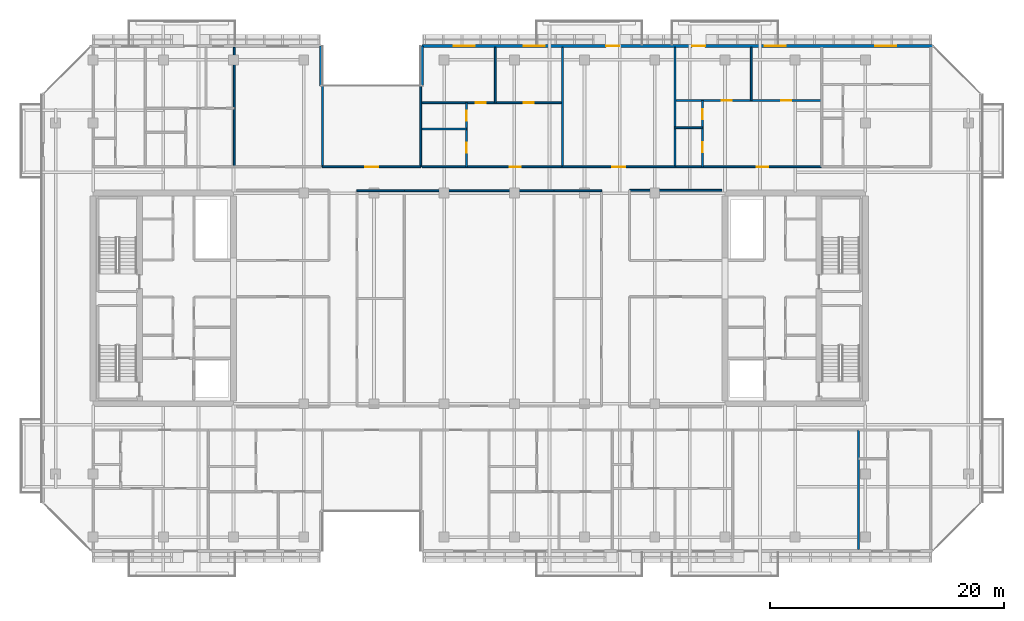
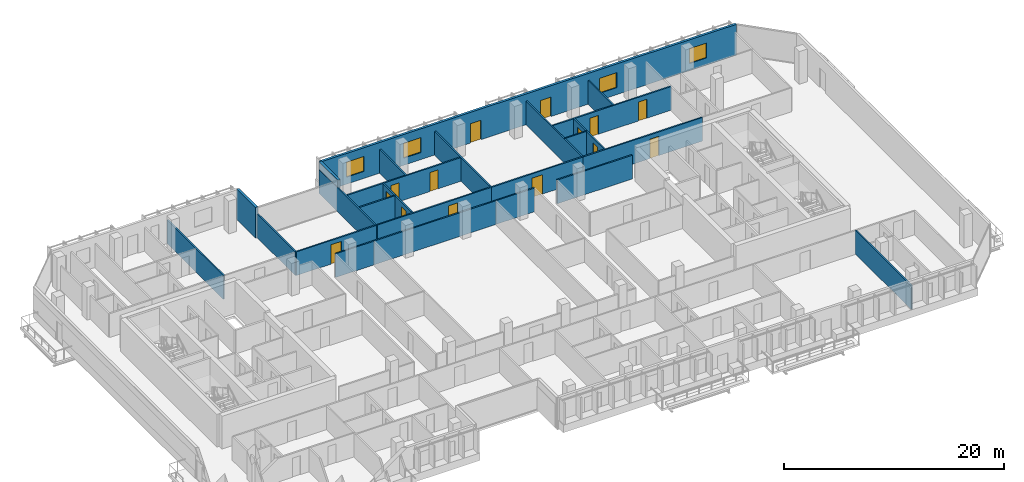
# One storey, part 23 of 30: 25 walls, 14 doors, 4 windows, 18 openings.
"""IFC4 building model written with IfcOpenShell, lengths in metres."""

from ifc_helpers import new_model, si_unit, direction, frame, frame_2d, origin, place, context, subcontext, project, spatial, rectangle, extrude, material, layer, layer_set, type_object, element, fill, save


model = new_model("IFC4")

# Units and contexts
model_context = context("Model", 3, precision=1e-05, world=origin(), true_north=direction((0.0, 1.0)))
body_context = subcontext(model_context, "Body", "Model", "MODEL_VIEW")
ifc_project = project(units=[si_unit("LENGTHUNIT", "METRE"), si_unit("AREAUNIT", "SQUARE_METRE"), si_unit("VOLUMEUNIT", "CUBIC_METRE"), si_unit("PLANEANGLEUNIT", "RADIAN"), si_unit("MASSUNIT", "GRAM", prefix="KILO")], contexts=[model_context])

# Site, building, storey
site_placement = place(None, origin())
site = spatial("IfcSite", under=ifc_project, at=site_placement, CompositionType="ELEMENT")
building_placement = place(site_placement, origin())
building = spatial("IfcBuilding", under=site, at=building_placement, Name="Tanjung Sevakor Pilgrim Tower", CompositionType="ELEMENT")
storey_placement = place(building_placement, frame((0.0, 0.0, 165.659912109375)))
storey = spatial("IfcBuildingStorey", under=building, at=storey_placement, Name="L46", CompositionType="ELEMENT", Elevation=165.659912109375)

# Walls
ifc_material_1 = material(Name="Concrete C40/50", Category="concrete")
ifc_layer_1 = layer(ifc_material_1, 0.14990234375)
ifc_layer_set_1 = layer_set([ifc_layer_1], Name="WT-COMP-150")
wall_type_1 = type_object("IfcWallType", Name="WT-COMP-150", PredefinedType="SOLIDWALL", material=ifc_layer_set_1)
wall_1_placement = place(storey_placement, frame((69.85009765625, 42.85009765625, 0.0), z_axis=(0.0, 0.0, 1.0), x_axis=(1.0, 0.0, 0.0)))
element("IfcWall", 1, at=wall_1_placement, inside=storey, type_object=wall_type_1, Name="L46 Partition IW-L46-037", PredefinedType="SOLIDWALL", context=body_context, shape_type="SweptSolid", body=[
    extrude(rectangle(XDim=7.8798828125, YDim=0.14990234375, at=frame_2d((3.93994140625, 0.0))), origin(), (0.0, 0.0, 1.0), 2.6298828125),
])
wall_2_placement = place(storey_placement, frame((46.550048828125, 42.800048828125, 0.0), z_axis=(0.0, 0.0, 1.0), x_axis=(1.0, 0.0, 0.0)))
element("IfcWall", 2, at=wall_2_placement, inside=storey, type_object=wall_type_1, Name="L46 Partition IW-L46-042", PredefinedType="SOLIDWALL", context=body_context, shape_type="SweptSolid", body=[
    extrude(rectangle(XDim=4.050048828125, YDim=0.14990234375, at=frame_2d((2.02490234375, 0.0))), origin(), (0.0, 0.0, 1.0), 2.6298828125),
])
wall_3_placement = place(storey_placement, frame((50.60009765625, 42.800048828125, 0.0), z_axis=(0.0, 0.0, 1.0), x_axis=(1.0, 0.0, 0.0)))
element("IfcWall", 3, at=wall_3_placement, inside=storey, type_object=wall_type_1, Name="L46 Partition IW-L46-045", PredefinedType="SOLIDWALL", context=body_context, shape_type="SweptSolid", body=[
    extrude(rectangle(XDim=12.7998046875, YDim=0.14990234375, at=frame_2d((6.39990234375, 0.0))), origin(), (0.0, 0.0, 1.0), 2.6298828125),
])
wall_4_placement = place(storey_placement, frame((63.39990234375, 42.800048828125, 0.0), z_axis=(0.0, 0.0, 1.0), x_axis=(1.0, 0.0, 0.0)))
element("IfcWall", 4, at=wall_4_placement, inside=storey, type_object=wall_type_1, Name="L46 Partition IW-L46-051", PredefinedType="SOLIDWALL", context=body_context, shape_type="SweptSolid", body=[
    extrude(rectangle(XDim=4.050048828125, YDim=0.14990234375, at=frame_2d((2.02490234375, 0.0))), origin(), (0.0, 0.0, 1.0), 2.6298828125),
])

# Wall, opening, door
wall_5_placement = place(storey_placement, frame((43.60009765625, 44.85009765625, 0.0), z_axis=(0.0, 0.0, 1.0), x_axis=(1.0, 0.0, 0.0)))
wall_5 = element("IfcWall", 5, at=wall_5_placement, inside=storey, type_object=wall_type_1, Name="L46 Partition IW-L46-056", PredefinedType="SOLIDWALL", context=body_context, shape_type="SweptSolid", body=[
    extrude(rectangle(XDim=8.39990234375, YDim=0.14990234375, at=frame_2d((4.199951171875, 0.0))), origin(), (0.0, 0.0, 1.0), 2.6298828125),
])
opening_1_placement = place(wall_5_placement, frame((3.64990234375, 0.0, 0.0)))
opening_1 = element("IfcOpeningElement", 6, at=opening_1_placement, cuts=wall_5, Name="Opening ID-RM2", PredefinedType="OPENING", context=body_context, shape_type="SweptSolid", body=[
    extrude(rectangle(XDim=1.10009765625, YDim=2.14990234375, at=frame_2d((0.550048828125, 1.074951171875))), frame((0.0, 0.0849609375, 0.0), z_axis=(0.0, -1.0, 0.0), x_axis=(1.0, 0.0, 0.0)), (0.0, 0.0, 1.0), 0.169921875),
])
ifc_material_2 = material(Name="Hardwood Timber", Category="wood")
door_type_1 = type_object("IfcDoorType", Name="DT-INT-1100", OperationType="NOTDEFINED", PredefinedType="DOOR", material=ifc_material_2)
door_1_placement = place(opening_1_placement, origin())
door_1 = element("IfcDoor", 7, at=door_1_placement, inside=storey, type_object=door_type_1, Name="L46 North Cleft Reading Room Door", OperationType="SINGLE_SWING_RIGHT", OverallHeight=2.14990234375, OverallWidth=1.10009765625, PredefinedType="DOOR", context=body_context, shape_type="SweptSolid", body=[
    extrude(rectangle(XDim=1.10009765625, YDim=2.14990234375, at=frame_2d((0.550048828125, 1.074951171875))), frame((0.0, 0.02490234375, 0.0), z_axis=(0.0, -1.0, 0.0), x_axis=(1.0, 0.0, 0.0)), (0.0, 0.0, 1.0), 0.050048828125),
])
fill(opening_1, door_1)

# Walls
for number, where, z_axis, x_axis, name in (
    (8, (43.60009765625, 44.85009765625, 0.0), (0.0, 0.0, 1.0), (0.0, 1.0, 0.0), "L46 Partition IW-L46-057"),
    (9, (52.0, 44.85009765625, 0.0), (0.0, 0.0, 1.0), (0.0, 1.0, 0.0), "L46 Partition IW-L46-058"),
):
    element("IfcWall", number, at=place(storey_placement, frame(where, z_axis=z_axis, x_axis=x_axis)), inside=storey, type_object=wall_type_1, Name=name, PredefinedType="SOLIDWALL", context=body_context, shape_type="SweptSolid", body=[
        extrude(rectangle(XDim=10.199951171875, YDim=0.14990234375, at=frame_2d((5.10009765625, 0.0))), origin(), (0.0, 0.0, 1.0), 2.6298828125),
    ])
wall_6_placement = place(storey_placement, frame((89.42138671875, 12.14990234375, 0.0), z_axis=(0.0, 0.0, 1.0), x_axis=(0.0, 1.0, 0.0)))
element("IfcWall", 10, at=wall_6_placement, inside=storey, type_object=wall_type_1, Name="L46 Partition IW-L46-086", PredefinedType="SOLIDWALL", context=body_context, shape_type="SweptSolid", body=[
    extrude(rectangle(XDim=10.2001953125, YDim=0.14990234375, at=frame_2d((5.10009765625, 0.0))), origin(), (0.0, 0.0, 1.0), 2.6298828125),
])
for number, where, z_axis, x_axis, name in (
    (11, (36.05126953125, 44.85009765625, 0.0), (0.0, 0.0, 1.0), (0.0, 1.0, 0.0), "L46 Partition IW-L46-096"),
    (12, (64.123779296875, 44.85009765625, 0.0), (0.0, 0.0, 1.0), (0.0, 1.0, 0.0), "L46 Partition IW-L46-104"),
):
    element("IfcWall", number, at=place(storey_placement, frame(where, z_axis=z_axis, x_axis=x_axis)), inside=storey, type_object=wall_type_1, Name=name, PredefinedType="SOLIDWALL", context=body_context, shape_type="SweptSolid", body=[
        extrude(rectangle(XDim=10.199951171875, YDim=0.14990234375, at=frame_2d((5.10009765625, 0.0))), origin(), (0.0, 0.0, 1.0), 2.6298828125),
    ])

# Wall, opening, door
wall_7_placement = place(storey_placement, frame((52.1201171875, 44.85009765625, 0.0), z_axis=(0.0, 0.0, 1.0), x_axis=(1.0, 0.0, 0.0)))
wall_7 = element("IfcWall", 13, at=wall_7_placement, inside=storey, type_object=wall_type_1, Name="L46 Partition IW-L46-109", PredefinedType="SOLIDWALL", context=body_context, shape_type="SweptSolid", body=[
    extrude(rectangle(XDim=12.003662109375, YDim=0.14990234375, at=frame_2d((6.001953125, 0.0))), origin(), (0.0, 0.0, 1.0), 2.6298828125),
])
opening_2_placement = place(wall_7_placement, frame((7.466796875, 0.0, 0.0)))
opening_2 = element("IfcOpeningElement", 14, at=opening_2_placement, cuts=wall_7, Name="Opening ID-FD2", PredefinedType="OPENING", context=body_context, shape_type="SweptSolid", body=[
    extrude(rectangle(XDim=0.949951171875, YDim=2.14990234375, at=frame_2d((0.47509765625, 1.074951171875))), frame((0.0, 0.0849609375, 0.0), z_axis=(0.0, -1.0, 0.0), x_axis=(1.0, 0.0, 0.0)), (0.0, 0.0, 1.0), 0.169921875),
])
ifc_material_3 = material(Name="Fire-Rated Timber", Category="wood")
door_type_2 = type_object("IfcDoorType", Name="DT-FIRE-950", OperationType="NOTDEFINED", PredefinedType="DOOR", material=ifc_material_3)
door_2_placement = place(opening_2_placement, origin())
door_2 = element("IfcDoor", 15, at=door_2_placement, inside=storey, type_object=door_type_2, Name="Suite Entrance", OperationType="SINGLE_SWING_LEFT", OverallHeight=2.14990234375, OverallWidth=0.949951171875, PredefinedType="DOOR", context=body_context, shape_type="SweptSolid", body=[
    extrude(rectangle(XDim=0.949951171875, YDim=2.14990234375, at=frame_2d((0.47509765625, 1.074951171875))), frame((0.0, 0.02490234375, 0.0), z_axis=(0.0, -1.0, 0.0), x_axis=(1.0, 0.0, 0.0)), (0.0, 0.0, 1.0), 0.050048828125),
])
fill(opening_2, door_2)

# Wall
wall_8_placement = place(storey_placement, frame((73.7265625, 44.85009765625, 0.0), z_axis=(0.0, 0.0, 1.0), x_axis=(0.0, 1.0, 0.0)))
element("IfcWall", 16, at=wall_8_placement, inside=storey, type_object=wall_type_1, Name="L46 Partition IW-L46-110", PredefinedType="SOLIDWALL", context=body_context, shape_type="SweptSolid", body=[
    extrude(rectangle(XDim=10.199951171875, YDim=0.14990234375, at=frame_2d((5.10009765625, 0.0))), origin(), (0.0, 0.0, 1.0), 2.6298828125),
])

# Wall, opening, door
wall_9_placement = place(storey_placement, frame((64.123779296875, 44.85009765625, 0.0), z_axis=(0.0, 0.0, 1.0), x_axis=(1.0, 0.0, 0.0)))
wall_9 = element("IfcWall", 17, at=wall_9_placement, inside=storey, type_object=wall_type_1, Name="L46 Partition IW-L46-111", PredefinedType="SOLIDWALL", context=body_context, shape_type="SweptSolid", body=[
    extrude(rectangle(XDim=9.602783203125, YDim=0.14990234375, at=frame_2d((4.80126953125, 0.0))), origin(), (0.0, 0.0, 1.0), 2.6298828125),
])
opening_3_placement = place(wall_9_placement, frame((4.25146484375, 0.0, 0.0)))
opening_3 = element("IfcOpeningElement", 18, at=opening_3_placement, cuts=wall_9, Name="Opening ID-FD0", PredefinedType="OPENING", context=body_context, shape_type="SweptSolid", body=[
    extrude(rectangle(XDim=1.10009765625, YDim=2.14990234375, at=frame_2d((0.550048828125, 1.074951171875))), frame((0.0, 0.0849609375, 0.0), z_axis=(0.0, -1.0, 0.0), x_axis=(1.0, 0.0, 0.0)), (0.0, 0.0, 1.0), 0.169921875),
])
ifc_material_4 = material(Name="Fire-Rated Steel S355J2", Category="steel")
door_type_3 = type_object("IfcDoorType", Name="DT-FIRE-1100", OperationType="NOTDEFINED", PredefinedType="DOOR", material=ifc_material_4)
door_3_placement = place(opening_3_placement, origin())
door_3 = element("IfcDoor", 19, at=door_3_placement, inside=storey, type_object=door_type_3, Name="Council Room Door", OperationType="SINGLE_SWING_RIGHT", OverallHeight=2.14990234375, OverallWidth=1.10009765625, PredefinedType="DOOR", context=body_context, shape_type="SweptSolid", body=[
    extrude(rectangle(XDim=1.10009765625, YDim=2.14990234375, at=frame_2d((0.550048828125, 1.074951171875))), frame((0.0, 0.02490234375, 0.0), z_axis=(0.0, -1.0, 0.0), x_axis=(1.0, 0.0, 0.0)), (0.0, 0.0, 1.0), 0.050048828125),
])
fill(opening_3, door_3)

wall_10_placement = place(storey_placement, frame((73.7265625, 44.85009765625, 0.0), z_axis=(0.0, 0.0, 1.0), x_axis=(1.0, 0.0, 0.0)))
wall_10 = element("IfcWall", 20, at=wall_10_placement, inside=storey, type_object=wall_type_1, Name="L46 Partition IW-L46-117", PredefinedType="SOLIDWALL", context=body_context, shape_type="SweptSolid", body=[
    extrude(rectangle(XDim=12.537353515625, YDim=0.14990234375, at=frame_2d((6.2685546875, 0.0))), origin(), (0.0, 0.0, 1.0), 2.6298828125),
])
opening_4_placement = place(wall_10_placement, frame((7.008544921875, 0.0, 0.0)))
opening_4 = element("IfcOpeningElement", 21, at=opening_4_placement, cuts=wall_10, Name="Opening ID-FD2", PredefinedType="OPENING", context=body_context, shape_type="SweptSolid", body=[
    extrude(rectangle(XDim=0.949951171875, YDim=2.14990234375, at=frame_2d((0.47509765625, 1.074951171875))), frame((0.0, 0.0849609375, 0.0), z_axis=(0.0, -1.0, 0.0), x_axis=(1.0, 0.0, 0.0)), (0.0, 0.0, 1.0), 0.169921875),
])
door_4_placement = place(opening_4_placement, origin())
door_4 = element("IfcDoor", 22, at=door_4_placement, inside=storey, type_object=door_type_2, Name="Suite Entrance", OperationType="SINGLE_SWING_LEFT", OverallHeight=2.14990234375, OverallWidth=0.949951171875, PredefinedType="DOOR", context=body_context, shape_type="SweptSolid", body=[
    extrude(rectangle(XDim=0.949951171875, YDim=2.14990234375, at=frame_2d((0.47509765625, 1.074951171875))), frame((0.0, 0.02490234375, 0.0), z_axis=(0.0, -1.0, 0.0), x_axis=(1.0, 0.0, 0.0)), (0.0, 0.0, 1.0), 0.050048828125),
])
fill(opening_4, door_4)

# Wall, openings, doors, windows
ifc_material_5 = material(Name="Precast concrete C45/55", Category="concrete")
ifc_layer_2 = layer(ifc_material_5, 0.25)
ifc_layer_set_2 = layer_set([ifc_layer_2], Name="WT-EW-STN3")
wall_type_2 = type_object("IfcWallType", Name="WT-EW-STN3", PredefinedType="SOLIDWALL", material=ifc_layer_set_2)
wall_11_placement = place(storey_placement, frame((95.748291015625, 55.175048828125, 0.0), z_axis=(0.0, 0.0, 1.0), x_axis=(-1.0, 0.0, 0.0)))
wall_11 = element("IfcWall", 23, at=wall_11_placement, inside=storey, type_object=wall_type_2, Name="L46 MAIN Exterior Wall 9", PredefinedType="SOLIDWALL", context=body_context, shape_type="SweptSolid", body=[
    extrude(rectangle(XDim=43.623291015625, YDim=0.25, at=frame_2d((21.8115234375, 0.0))), origin(), (0.0, 0.0, 1.0), 3.409912109375),
])
opening_5_placement = place(wall_11_placement, frame((26.798095703125, 0.0, 0.0)))
opening_5 = element("IfcOpeningElement", 24, at=opening_5_placement, cuts=wall_11, Name="Opening ED-BAL-1100", PredefinedType="OPENING", context=body_context, shape_type="SweptSolid", body=[
    extrude(rectangle(XDim=1.10009765625, YDim=2.14990234375, at=frame_2d((0.550048828125, 1.074951171875))), frame((0.0, 0.135009765625, 0.0), z_axis=(0.0, -1.0, 0.0), x_axis=(1.0, 0.0, 0.0)), (0.0, 0.0, 1.0), 0.27001953125),
])
opening_6_placement = place(wall_11_placement, frame((19.4482421875, 0.0, 0.0)))
opening_6 = element("IfcOpeningElement", 25, at=opening_6_placement, cuts=wall_11, Name="Opening ED-BAL-1100", PredefinedType="OPENING", context=body_context, shape_type="SweptSolid", body=[
    extrude(rectangle(XDim=1.10009765625, YDim=2.14990234375, at=frame_2d((0.550048828125, 1.074951171875))), frame((0.0, 0.135009765625, 0.0), z_axis=(0.0, -1.0, 0.0), x_axis=(1.0, 0.0, 0.0)), (0.0, 0.0, 1.0), 0.27001953125),
])
opening_7_placement = place(wall_11_placement, frame((39.1171875, 0.0, 0.780029296875)))
opening_7 = element("IfcOpeningElement", 26, at=opening_7_placement, cuts=wall_11, Name="Opening WN-Z3-1660", PredefinedType="OPENING", context=body_context, shape_type="SweptSolid", body=[
    extrude(rectangle(XDim=1.800048828125, YDim=1.659912109375, at=frame_2d((0.89990234375, 0.830078125))), frame((0.0, 0.135009765625, 0.0), z_axis=(0.0, -1.0, 0.0), x_axis=(1.0, 0.0, 0.0)), (0.0, 0.0, 1.0), 0.27001953125),
])
opening_8_placement = place(wall_11_placement, frame((33.135498046875, 0.0, 0.780029296875)))
opening_8 = element("IfcOpeningElement", 27, at=opening_8_placement, cuts=wall_11, Name="Opening WN-Z3-1660", PredefinedType="OPENING", context=body_context, shape_type="SweptSolid", body=[
    extrude(rectangle(XDim=1.800048828125, YDim=1.659912109375, at=frame_2d((0.89990234375, 0.830078125))), frame((0.0, 0.135009765625, 0.0), z_axis=(0.0, -1.0, 0.0), x_axis=(1.0, 0.0, 0.0)), (0.0, 0.0, 1.0), 0.27001953125),
])
opening_9_placement = place(wall_11_placement, frame((12.563232421875, 0.0, 0.780029296875)))
opening_9 = element("IfcOpeningElement", 28, at=opening_9_placement, cuts=wall_11, Name="Opening WN-Z3-1660", PredefinedType="OPENING", context=body_context, shape_type="SweptSolid", body=[
    extrude(rectangle(XDim=1.800048828125, YDim=1.659912109375, at=frame_2d((0.89990234375, 0.830078125))), frame((0.0, 0.135009765625, 0.0), z_axis=(0.0, -1.0, 0.0), x_axis=(1.0, 0.0, 0.0)), (0.0, 0.0, 1.0), 0.27001953125),
])
opening_10_placement = place(wall_11_placement, frame((3.1162109375, 0.0, 0.780029296875)))
opening_10 = element("IfcOpeningElement", 29, at=opening_10_placement, cuts=wall_11, Name="Opening WN-Z3-1660", PredefinedType="OPENING", context=body_context, shape_type="SweptSolid", body=[
    extrude(rectangle(XDim=1.800048828125, YDim=1.659912109375, at=frame_2d((0.89990234375, 0.830078125))), frame((0.0, 0.135009765625, 0.0), z_axis=(0.0, -1.0, 0.0), x_axis=(1.0, 0.0, 0.0)), (0.0, 0.0, 1.0), 0.27001953125),
])
ifc_material_6 = material(Name="Anodised Aluminium and Laminated Glass", Category="aluminium")
door_type_4 = type_object("IfcDoorType", Name="DTYP-ED-BAL-1100", OperationType="NOTDEFINED", PredefinedType="DOOR", material=ifc_material_6)
door_5_placement = place(opening_5_placement, frame((1.10009765625, 0.0, 0.0), z_axis=(0.0, 0.0, 1.0), x_axis=(-1.0, 0.0, 0.0)))
door_5 = element("IfcDoor", 30, at=door_5_placement, inside=storey, type_object=door_type_4, Name="L46 Balcony Door MAIN-N2", OperationType="SINGLE_SWING_LEFT", OverallHeight=2.14990234375, OverallWidth=1.10009765625, PredefinedType="DOOR", context=body_context, shape_type="SweptSolid", body=[
    extrude(rectangle(XDim=1.10009765625, YDim=2.14990234375, at=frame_2d((0.550048828125, 1.074951171875))), frame((0.0, 0.02490234375, 0.0), z_axis=(0.0, -1.0, 0.0), x_axis=(1.0, 0.0, 0.0)), (0.0, 0.0, 1.0), 0.050048828125),
])
fill(opening_5, door_5)
door_6_placement = place(opening_6_placement, frame((1.10009765625, 0.0, 0.0), z_axis=(0.0, 0.0, 1.0), x_axis=(-1.0, 0.0, 0.0)))
door_6 = element("IfcDoor", 31, at=door_6_placement, inside=storey, type_object=door_type_4, Name="L46 Balcony Door MAIN-N3", OperationType="SINGLE_SWING_RIGHT", OverallHeight=2.14990234375, OverallWidth=1.10009765625, PredefinedType="DOOR", context=body_context, shape_type="SweptSolid", body=[
    extrude(rectangle(XDim=1.10009765625, YDim=2.14990234375, at=frame_2d((0.550048828125, 1.074951171875))), frame((0.0, 0.02490234375, 0.0), z_axis=(0.0, -1.0, 0.0), x_axis=(1.0, 0.0, 0.0)), (0.0, 0.0, 1.0), 0.050048828125),
])
fill(opening_6, door_6)
ifc_material_7 = material(Name="Thermally Broken Aluminium and Low-E Glass", Category="aluminium")
window_type = type_object("IfcWindowType", Name="WTYP-WN-Z3-1660", PartitioningType="DOUBLE_PANEL_VERTICAL", PredefinedType="WINDOW", material=ifc_material_7)
window_1_placement = place(opening_7_placement, origin())
window_1 = element("IfcWindow", 32, at=window_1_placement, inside=storey, type_object=window_type, Name="L46 Facade Window 01", OverallHeight=1.659912109375, OverallWidth=1.800048828125, PartitioningType="SINGLE_PANEL", PredefinedType="WINDOW", context=body_context, shape_type="SweptSolid", body=[
    extrude(rectangle(XDim=1.800048828125, YDim=1.659912109375, at=frame_2d((0.89990234375, 0.830078125))), frame((0.0, 0.030029296875, 0.0), z_axis=(0.0, -1.0, 0.0), x_axis=(1.0, 0.0, 0.0)), (0.0, 0.0, 1.0), 0.06005859375),
])
fill(opening_7, window_1)
window_2_placement = place(opening_8_placement, origin())
window_2 = element("IfcWindow", 33, at=window_2_placement, inside=storey, type_object=window_type, Name="L46 Facade Window 02", OverallHeight=1.659912109375, OverallWidth=1.800048828125, PartitioningType="SINGLE_PANEL", PredefinedType="WINDOW", context=body_context, shape_type="SweptSolid", body=[
    extrude(rectangle(XDim=1.800048828125, YDim=1.659912109375, at=frame_2d((0.89990234375, 0.830078125))), frame((0.0, 0.030029296875, 0.0), z_axis=(0.0, -1.0, 0.0), x_axis=(1.0, 0.0, 0.0)), (0.0, 0.0, 1.0), 0.06005859375),
])
fill(opening_8, window_2)
window_3_placement = place(opening_9_placement, origin())
window_3 = element("IfcWindow", 34, at=window_3_placement, inside=storey, type_object=window_type, Name="L46 Facade Window 03", OverallHeight=1.659912109375, OverallWidth=1.800048828125, PartitioningType="SINGLE_PANEL", PredefinedType="WINDOW", context=body_context, shape_type="SweptSolid", body=[
    extrude(rectangle(XDim=1.800048828125, YDim=1.659912109375, at=frame_2d((0.89990234375, 0.830078125))), frame((0.0, 0.030029296875, 0.0), z_axis=(0.0, -1.0, 0.0), x_axis=(1.0, 0.0, 0.0)), (0.0, 0.0, 1.0), 0.06005859375),
])
fill(opening_9, window_3)
window_4_placement = place(opening_10_placement, origin())
window_4 = element("IfcWindow", 35, at=window_4_placement, inside=storey, type_object=window_type, Name="L46 Facade Window 04", OverallHeight=1.659912109375, OverallWidth=1.800048828125, PartitioningType="SINGLE_PANEL", PredefinedType="WINDOW", context=body_context, shape_type="SweptSolid", body=[
    extrude(rectangle(XDim=1.800048828125, YDim=1.659912109375, at=frame_2d((0.89990234375, 0.830078125))), frame((0.0, 0.030029296875, 0.0), z_axis=(0.0, -1.0, 0.0), x_axis=(1.0, 0.0, 0.0)), (0.0, 0.0, 1.0), 0.06005859375),
])
fill(opening_10, window_4)

# Walls
for number, where, z_axis, x_axis, name in (
    (36, (52.125, 55.175048828125, 0.0), (0.0, 0.0, 1.0), (0.0, -1.0, 0.0), "L46 MAIN Exterior Wall 10"),
    (37, (43.47509765625, 51.77490234375, 0.0), (0.0, 0.0, 1.0), (0.0, 1.0, 0.0), "L46 MAIN Exterior Wall 12"),
):
    element("IfcWall", number, at=place(storey_placement, frame(where, z_axis=z_axis, x_axis=x_axis)), inside=storey, type_object=wall_type_2, Name=name, PredefinedType="SOLIDWALL", context=body_context, shape_type="SweptSolid", body=[
        extrude(rectangle(XDim=3.400146484375, YDim=0.25, at=frame_2d((1.7001953125, 0.0))), origin(), (0.0, 0.0, 1.0), 3.409912109375),
    ])
ifc_material_8 = material(Name="Gypsum Board Partition", Category="gypsum board")
ifc_layer_3 = layer(ifc_material_8, 0.14990234375)
ifc_layer_set_3 = layer_set([ifc_layer_3], Name="WT-PART-150")
wall_type_3 = type_object("IfcWallType", Name="WT-PART-150", PredefinedType="PARTITIONING", material=ifc_layer_set_3)
wall_12_placement = place(storey_placement, frame((52.1201171875, 48.07958984375, 0.0), z_axis=(0.0, 0.0, 1.0), x_axis=(1.0, 0.0, 0.0)))
element("IfcWall", 38, at=wall_12_placement, inside=storey, type_object=wall_type_3, Name="L46 Partition IW-L46-105", PredefinedType="PARTITIONING", context=body_context, shape_type="SweptSolid", body=[
    extrude(rectangle(XDim=3.7998046875, YDim=0.14990234375, at=frame_2d((1.89990234375, 0.0))), origin(), (0.0, 0.0, 1.0), 2.6298828125),
])

# Wall, openings, doors
wall_13_placement = place(storey_placement, frame((55.919921875, 44.85009765625, 0.0), z_axis=(0.0, 0.0, 1.0), x_axis=(0.0, 1.0, 0.0)))
wall_13 = element("IfcWall", 39, at=wall_13_placement, inside=storey, type_object=wall_type_3, Name="L46 Partition IW-L46-106", PredefinedType="PARTITIONING", context=body_context, shape_type="SweptSolid", body=[
    extrude(rectangle(XDim=5.473876953125, YDim=0.14990234375, at=frame_2d((2.73681640625, 0.0))), origin(), (0.0, 0.0, 1.0), 2.6298828125),
])
opening_11_placement = place(wall_13_placement, frame((1.189697265625, 0.0, 0.0)))
opening_11 = element("IfcOpeningElement", 40, at=opening_11_placement, cuts=wall_13, Name="Opening ID-WC1", PredefinedType="OPENING", context=body_context, shape_type="SweptSolid", body=[
    extrude(rectangle(XDim=0.85009765625, YDim=2.10009765625, at=frame_2d((0.425048828125, 1.050048828125))), frame((0.0, 0.0849609375, 0.0), z_axis=(0.0, -1.0, 0.0), x_axis=(1.0, 0.0, 0.0)), (0.0, 0.0, 1.0), 0.169921875),
])
opening_12_placement = place(wall_13_placement, frame((3.9267578125, 0.0, 0.0)))
opening_12 = element("IfcOpeningElement", 41, at=opening_12_placement, cuts=wall_13, Name="Opening ID-WC1", PredefinedType="OPENING", context=body_context, shape_type="SweptSolid", body=[
    extrude(rectangle(XDim=0.85009765625, YDim=2.10009765625, at=frame_2d((0.425048828125, 1.050048828125))), frame((0.0, 0.0849609375, 0.0), z_axis=(0.0, -1.0, 0.0), x_axis=(1.0, 0.0, 0.0)), (0.0, 0.0, 1.0), 0.169921875),
])
ifc_material_9 = material(Name="Moisture-Resistant Timber", Category="wood")
door_type_5 = type_object("IfcDoorType", Name="DT-INT-850", OperationType="NOTDEFINED", PredefinedType="DOOR", material=ifc_material_9)
door_7_placement = place(opening_11_placement, origin())
door_7 = element("IfcDoor", 42, at=door_7_placement, inside=storey, type_object=door_type_5, Name="Suite Kitchenette Door", OperationType="SINGLE_SWING_LEFT", OverallHeight=2.10009765625, OverallWidth=0.85009765625, PredefinedType="DOOR", context=body_context, shape_type="SweptSolid", body=[
    extrude(rectangle(XDim=0.85009765625, YDim=2.10009765625, at=frame_2d((0.425048828125, 1.050048828125))), frame((0.0, 0.02490234375, 0.0), z_axis=(0.0, -1.0, 0.0), x_axis=(1.0, 0.0, 0.0)), (0.0, 0.0, 1.0), 0.050048828125),
])
fill(opening_11, door_7)
door_8_placement = place(opening_12_placement, origin())
door_8 = element("IfcDoor", 43, at=door_8_placement, inside=storey, type_object=door_type_5, Name="Suite Bathroom Door", OperationType="SINGLE_SWING_RIGHT", OverallHeight=2.10009765625, OverallWidth=0.85009765625, PredefinedType="DOOR", context=body_context, shape_type="SweptSolid", body=[
    extrude(rectangle(XDim=0.85009765625, YDim=2.10009765625, at=frame_2d((0.425048828125, 1.050048828125))), frame((0.0, 0.02490234375, 0.0), z_axis=(0.0, -1.0, 0.0), x_axis=(1.0, 0.0, 0.0)), (0.0, 0.0, 1.0), 0.050048828125),
])
fill(opening_12, door_8)

# Wall
wall_14_placement = place(storey_placement, frame((58.36181640625, 50.323974609375, 0.0), z_axis=(0.0, 0.0, 1.0), x_axis=(0.0, 1.0, 0.0)))
element("IfcWall", 44, at=wall_14_placement, inside=storey, type_object=wall_type_3, Name="L46 Partition IW-L46-107", PredefinedType="PARTITIONING", context=body_context, shape_type="SweptSolid", body=[
    extrude(rectangle(XDim=4.72607421875, YDim=0.14990234375, at=frame_2d((2.363037109375, 0.0))), origin(), (0.0, 0.0, 1.0), 2.6298828125),
])

# Wall, openings, doors
wall_15_placement = place(storey_placement, frame((52.1201171875, 50.323974609375, 0.0), z_axis=(0.0, 0.0, 1.0), x_axis=(1.0, 0.0, 0.0)))
wall_15 = element("IfcWall", 45, at=wall_15_placement, inside=storey, type_object=wall_type_3, Name="L46 Partition IW-L46-108", PredefinedType="PARTITIONING", context=body_context, shape_type="SweptSolid", body=[
    extrude(rectangle(XDim=12.003662109375, YDim=0.14990234375, at=frame_2d((6.001953125, 0.0))), origin(), (0.0, 0.0, 1.0), 2.6298828125),
])
opening_13_placement = place(wall_15_placement, frame((4.595947265625, 0.0, 0.0)))
opening_13 = element("IfcOpeningElement", 46, at=opening_13_placement, cuts=wall_15, Name="Opening ID-WC1", PredefinedType="OPENING", context=body_context, shape_type="SweptSolid", body=[
    extrude(rectangle(XDim=0.85009765625, YDim=2.10009765625, at=frame_2d((0.425048828125, 1.050048828125))), frame((0.0, 0.0849609375, 0.0), z_axis=(0.0, -1.0, 0.0), x_axis=(1.0, 0.0, 0.0)), (0.0, 0.0, 1.0), 0.169921875),
])
opening_14_placement = place(wall_15_placement, frame((8.69775390625, 0.0, 0.0)))
opening_14 = element("IfcOpeningElement", 47, at=opening_14_placement, cuts=wall_15, Name="Opening ID-WC1", PredefinedType="OPENING", context=body_context, shape_type="SweptSolid", body=[
    extrude(rectangle(XDim=0.85009765625, YDim=2.10009765625, at=frame_2d((0.425048828125, 1.050048828125))), frame((0.0, 0.0849609375, 0.0), z_axis=(0.0, -1.0, 0.0), x_axis=(1.0, 0.0, 0.0)), (0.0, 0.0, 1.0), 0.169921875),
])
door_9_placement = place(opening_13_placement, origin())
door_9 = element("IfcDoor", 48, at=door_9_placement, inside=storey, type_object=door_type_5, Name="Suite Bedroom 1 Door", OperationType="SINGLE_SWING_LEFT", OverallHeight=2.10009765625, OverallWidth=0.85009765625, PredefinedType="DOOR", context=body_context, shape_type="SweptSolid", body=[
    extrude(rectangle(XDim=0.85009765625, YDim=2.10009765625, at=frame_2d((0.425048828125, 1.050048828125))), frame((0.0, 0.02490234375, 0.0), z_axis=(0.0, -1.0, 0.0), x_axis=(1.0, 0.0, 0.0)), (0.0, 0.0, 1.0), 0.050048828125),
])
fill(opening_13, door_9)
door_10_placement = place(opening_14_placement, origin())
door_10 = element("IfcDoor", 49, at=door_10_placement, inside=storey, type_object=door_type_5, Name="Suite Bedroom 2 Door", OperationType="SINGLE_SWING_RIGHT", OverallHeight=2.10009765625, OverallWidth=0.85009765625, PredefinedType="DOOR", context=body_context, shape_type="SweptSolid", body=[
    extrude(rectangle(XDim=0.85009765625, YDim=2.10009765625, at=frame_2d((0.425048828125, 1.050048828125))), frame((0.0, 0.02490234375, 0.0), z_axis=(0.0, -1.0, 0.0), x_axis=(1.0, 0.0, 0.0)), (0.0, 0.0, 1.0), 0.050048828125),
])
fill(opening_14, door_10)

# Wall
wall_16_placement = place(storey_placement, frame((73.7265625, 48.1982421875, 0.0), z_axis=(0.0, 0.0, 1.0), x_axis=(1.0, 0.0, 0.0)))
element("IfcWall", 50, at=wall_16_placement, inside=storey, type_object=wall_type_3, Name="L46 Partition IW-L46-113", PredefinedType="PARTITIONING", context=body_context, shape_type="SweptSolid", body=[
    extrude(rectangle(XDim=2.35009765625, YDim=0.14990234375, at=frame_2d((1.175048828125, 0.0))), origin(), (0.0, 0.0, 1.0), 2.6298828125),
])

# Wall, openings, doors
wall_17_placement = place(storey_placement, frame((76.07666015625, 44.85009765625, 0.0), z_axis=(0.0, 0.0, 1.0), x_axis=(0.0, 1.0, 0.0)))
wall_17 = element("IfcWall", 51, at=wall_17_placement, inside=storey, type_object=wall_type_3, Name="L46 Partition IW-L46-114", PredefinedType="PARTITIONING", context=body_context, shape_type="SweptSolid", body=[
    extrude(rectangle(XDim=5.6748046875, YDim=0.14990234375, at=frame_2d((2.83740234375, 0.0))), origin(), (0.0, 0.0, 1.0), 2.6298828125),
])
opening_15_placement = place(wall_17_placement, frame((1.249267578125, 0.0, 0.0)))
opening_15 = element("IfcOpeningElement", 52, at=opening_15_placement, cuts=wall_17, Name="Opening ID-WC1", PredefinedType="OPENING", context=body_context, shape_type="SweptSolid", body=[
    extrude(rectangle(XDim=0.85009765625, YDim=2.10009765625, at=frame_2d((0.425048828125, 1.050048828125))), frame((0.0, 0.0849609375, 0.0), z_axis=(0.0, -1.0, 0.0), x_axis=(1.0, 0.0, 0.0)), (0.0, 0.0, 1.0), 0.169921875),
])
opening_16_placement = place(wall_17_placement, frame((4.086669921875, 0.0, 0.0)))
opening_16 = element("IfcOpeningElement", 53, at=opening_16_placement, cuts=wall_17, Name="Opening ID-WC1", PredefinedType="OPENING", context=body_context, shape_type="SweptSolid", body=[
    extrude(rectangle(XDim=0.85009765625, YDim=2.10009765625, at=frame_2d((0.425048828125, 1.050048828125))), frame((0.0, 0.0849609375, 0.0), z_axis=(0.0, -1.0, 0.0), x_axis=(1.0, 0.0, 0.0)), (0.0, 0.0, 1.0), 0.169921875),
])
door_11_placement = place(opening_15_placement, origin())
door_11 = element("IfcDoor", 54, at=door_11_placement, inside=storey, type_object=door_type_5, Name="Suite Kitchenette Door", OperationType="SINGLE_SWING_LEFT", OverallHeight=2.10009765625, OverallWidth=0.85009765625, PredefinedType="DOOR", context=body_context, shape_type="SweptSolid", body=[
    extrude(rectangle(XDim=0.85009765625, YDim=2.10009765625, at=frame_2d((0.425048828125, 1.050048828125))), frame((0.0, 0.02490234375, 0.0), z_axis=(0.0, -1.0, 0.0), x_axis=(1.0, 0.0, 0.0)), (0.0, 0.0, 1.0), 0.050048828125),
])
fill(opening_15, door_11)
door_12_placement = place(opening_16_placement, origin())
door_12 = element("IfcDoor", 55, at=door_12_placement, inside=storey, type_object=door_type_5, Name="Suite Bathroom Door", OperationType="SINGLE_SWING_RIGHT", OverallHeight=2.10009765625, OverallWidth=0.85009765625, PredefinedType="DOOR", context=body_context, shape_type="SweptSolid", body=[
    extrude(rectangle(XDim=0.85009765625, YDim=2.10009765625, at=frame_2d((0.425048828125, 1.050048828125))), frame((0.0, 0.02490234375, 0.0), z_axis=(0.0, -1.0, 0.0), x_axis=(1.0, 0.0, 0.0)), (0.0, 0.0, 1.0), 0.050048828125),
])
fill(opening_16, door_12)

# Wall
wall_18_placement = place(storey_placement, frame((80.245849609375, 50.52490234375, 0.0), z_axis=(0.0, 0.0, 1.0), x_axis=(0.0, 1.0, 0.0)))
element("IfcWall", 56, at=wall_18_placement, inside=storey, type_object=wall_type_3, Name="L46 Partition IW-L46-115", PredefinedType="PARTITIONING", context=body_context, shape_type="SweptSolid", body=[
    extrude(rectangle(XDim=4.525146484375, YDim=0.14990234375, at=frame_2d((2.2626953125, 0.0))), origin(), (0.0, 0.0, 1.0), 2.6298828125),
])

# Wall, openings, doors
wall_19_placement = place(storey_placement, frame((73.7265625, 50.52490234375, 0.0), z_axis=(0.0, 0.0, 1.0), x_axis=(1.0, 0.0, 0.0)))
wall_19 = element("IfcWall", 57, at=wall_19_placement, inside=storey, type_object=wall_type_3, Name="L46 Partition IW-L46-116", PredefinedType="PARTITIONING", context=body_context, shape_type="SweptSolid", body=[
    extrude(rectangle(XDim=12.537353515625, YDim=0.14990234375, at=frame_2d((6.2685546875, 0.0))), origin(), (0.0, 0.0, 1.0), 2.6298828125),
])
opening_17_placement = place(wall_19_placement, frame((4.009521484375, 0.0, 0.0)))
opening_17 = element("IfcOpeningElement", 58, at=opening_17_placement, cuts=wall_19, Name="Opening ID-WC1", PredefinedType="OPENING", context=body_context, shape_type="SweptSolid", body=[
    extrude(rectangle(XDim=0.85009765625, YDim=2.10009765625, at=frame_2d((0.425048828125, 1.050048828125))), frame((0.0, 0.0849609375, 0.0), z_axis=(0.0, -1.0, 0.0), x_axis=(1.0, 0.0, 0.0)), (0.0, 0.0, 1.0), 0.169921875),
])
opening_18_placement = place(wall_19_placement, frame((9.103271484375, 0.0, 0.0)))
opening_18 = element("IfcOpeningElement", 59, at=opening_18_placement, cuts=wall_19, Name="Opening ID-WC1", PredefinedType="OPENING", context=body_context, shape_type="SweptSolid", body=[
    extrude(rectangle(XDim=0.85009765625, YDim=2.10009765625, at=frame_2d((0.425048828125, 1.050048828125))), frame((0.0, 0.0849609375, 0.0), z_axis=(0.0, -1.0, 0.0), x_axis=(1.0, 0.0, 0.0)), (0.0, 0.0, 1.0), 0.169921875),
])
door_13_placement = place(opening_17_placement, origin())
door_13 = element("IfcDoor", 60, at=door_13_placement, inside=storey, type_object=door_type_5, Name="Suite Bedroom 1 Door", OperationType="SINGLE_SWING_LEFT", OverallHeight=2.10009765625, OverallWidth=0.85009765625, PredefinedType="DOOR", context=body_context, shape_type="SweptSolid", body=[
    extrude(rectangle(XDim=0.85009765625, YDim=2.10009765625, at=frame_2d((0.425048828125, 1.050048828125))), frame((0.0, 0.02490234375, 0.0), z_axis=(0.0, -1.0, 0.0), x_axis=(1.0, 0.0, 0.0)), (0.0, 0.0, 1.0), 0.050048828125),
])
fill(opening_17, door_13)
door_14_placement = place(opening_18_placement, origin())
door_14 = element("IfcDoor", 61, at=door_14_placement, inside=storey, type_object=door_type_5, Name="Suite Bedroom 2 Door", OperationType="SINGLE_SWING_RIGHT", OverallHeight=2.10009765625, OverallWidth=0.85009765625, PredefinedType="DOOR", context=body_context, shape_type="SweptSolid", body=[
    extrude(rectangle(XDim=0.85009765625, YDim=2.10009765625, at=frame_2d((0.425048828125, 1.050048828125))), frame((0.0, 0.02490234375, 0.0), z_axis=(0.0, -1.0, 0.0), x_axis=(1.0, 0.0, 0.0)), (0.0, 0.0, 1.0), 0.050048828125),
])
fill(opening_18, door_14)

save(model, "model.ifc")
